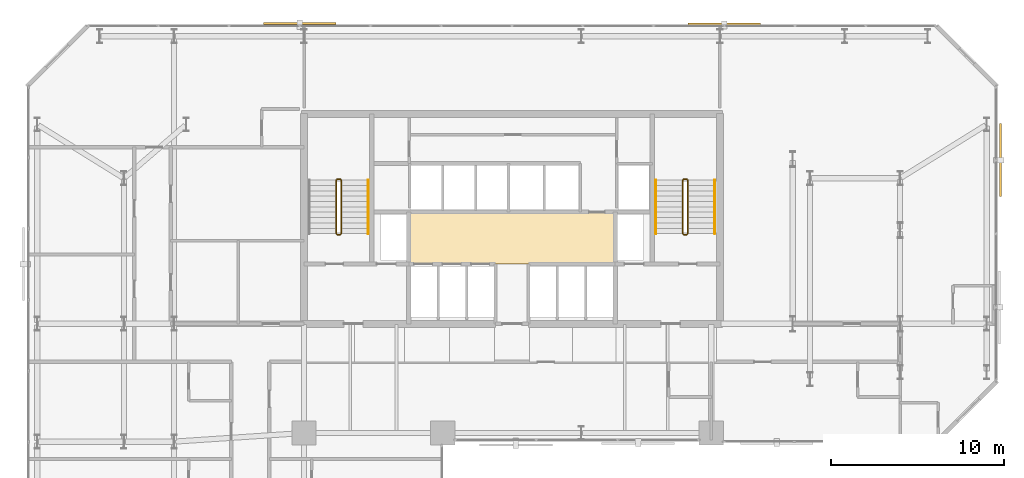
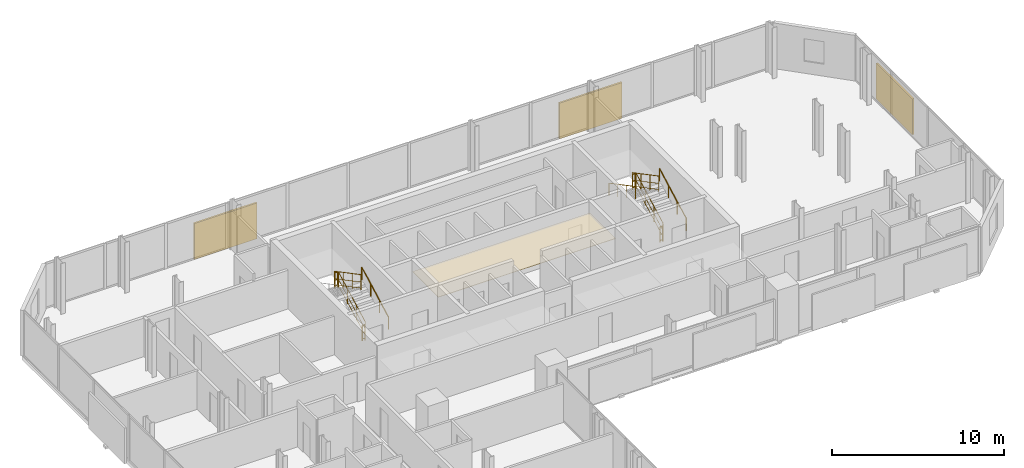
# One storey, part 33 of 33: 11 railings, 3 shading devices, 1 covering.
"""IFC4 building model written with IfcOpenShell, lengths in metres."""

from ifc_helpers import new_model, si_unit, direction, frame, origin, origin_2d, place, context, subcontext, project, spatial, polyline, rectangle, circle, outline, extrude, material, layer, layer_set, type_object, element, save


model = new_model("IFC4")

# Units and contexts
model_context = context("Model", 3, precision=1e-05, world=origin(), true_north=direction((0.0, 1.0)))
body_context = subcontext(model_context, "Body", "Model", "MODEL_VIEW")
ifc_project = project(units=[si_unit("LENGTHUNIT", "METRE"), si_unit("AREAUNIT", "SQUARE_METRE"), si_unit("VOLUMEUNIT", "CUBIC_METRE"), si_unit("PLANEANGLEUNIT", "RADIAN"), si_unit("MASSUNIT", "GRAM", prefix="KILO")], contexts=[model_context])

# Site, building, storey
site_placement = place(None, origin())
site = spatial("IfcSite", under=ifc_project, at=site_placement, CompositionType="ELEMENT")
building_placement = place(site_placement, origin())
building = spatial("IfcBuilding", under=site, at=building_placement, Name="Catumbela Crestline Tower", CompositionType="ELEMENT")
storey_placement = place(building_placement, frame((0.0, 0.0, 76.2)))
storey = spatial("IfcBuildingStorey", under=building, at=storey_placement, Name="L19", CompositionType="ELEMENT", Elevation=76.2)

# Covering
ifc_material_1 = material(Name="Mineral-fibre acoustic ceiling")
ifc_layer = layer(ifc_material_1, 0.03, Name="Mineral-fibre acoustic ceiling")
ifc_layer_set = layer_set([ifc_layer], Name="Mineral-fibre acoustic ceiling")
covering_type = type_object("IfcCoveringType", Name="CC-AC", PredefinedType="CEILING", material=ifc_layer_set)
covering_placement = place(storey_placement, frame((0.0, 0.0, 2.65)))
element("IfcCovering", 1, at=covering_placement, inside=storey, type_object=covering_type, Name="L19 Lift Lobby Acoustic Ceiling", PredefinedType="CEILING", context=body_context, shape_type="SweptSolid", body=[
    extrude(outline(polyline([(22.05, 34.25), (33.95, 34.25), (33.95, 37.25), (22.05, 37.25), (22.05, 34.25)])), origin(), (0.0, 0.0, 1.0), 0.03),
])

# Railings
ifc_material_2 = material(Name="Stainless steel EN 1.4401", Category="steel")
railing_type_1 = type_object("IfcRailingType", Name="RG-1100", PredefinedType="GUARDRAIL", material=ifc_material_2)
railing_1_placement = place(storey_placement, frame((18.14, 36.0, 0.1636)))
element("IfcRailing", 2, at=railing_1_placement, inside=storey, type_object=railing_type_1, Name="L19 ST-01 stair guard 1", PredefinedType="GUARDRAIL", context=body_context, shape_type="SweptSolid", body=[
    extrude(circle(Radius=0.024, at=origin_2d()), frame((0.0, 0.0, 1.076), z_axis=(0.0, 0.884350731049, 0.466823076222), x_axis=(-1.0, 0.0, 0.0)), (0.0, 0.0, 1.0), 3.5054),
    extrude(circle(Radius=0.0156, at=origin_2d()), frame((0.0, 0.0, 0.55), z_axis=(0.0, 0.884350731049, 0.466823076222), x_axis=(-1.0, 0.0, 0.0)), (0.0, 0.0, 1.0), 3.5054),
    extrude(circle(Radius=0.0156, at=origin_2d()), frame((0.0, 0.0, 0.12), z_axis=(0.0, 0.884350731049, 0.466823076222), x_axis=(-1.0, 0.0, 0.0)), (0.0, 0.0, 1.0), 3.5054),
    extrude(circle(Radius=0.021, at=origin_2d()), origin(), (0.0, 0.0, 1.0), 1.052),
    extrude(circle(Radius=0.021, at=origin_2d()), frame((0.0, 1.0333, 0.5455)), (0.0, 0.0, 1.0), 1.052),
    extrude(circle(Radius=0.021, at=origin_2d()), frame((0.0, 2.0667, 1.0909)), (0.0, 0.0, 1.0), 1.052),
    extrude(circle(Radius=0.021, at=origin_2d()), frame((0.0, 3.1, 1.6364)), (0.0, 0.0, 1.0), 1.052),
])
railing_2_placement = place(storey_placement, frame((18.09, 39.15, 1.8)))
element("IfcRailing", 3, at=railing_2_placement, inside=storey, type_object=railing_type_1, Name="L19 ST-01 stair guard 2", PredefinedType="GUARDRAIL", context=body_context, shape_type="SweptSolid", body=[
    extrude(circle(Radius=0.024, at=origin_2d()), frame((0.0, 0.0, 1.076), z_axis=(-1.0, 0.0, 0.0), x_axis=(0.0, -1.0, 0.0)), (0.0, 0.0, 1.0), 0.18),
    extrude(circle(Radius=0.0156, at=origin_2d()), frame((0.0, 0.0, 0.55), z_axis=(-1.0, 0.0, 0.0), x_axis=(0.0, -1.0, 0.0)), (0.0, 0.0, 1.0), 0.18),
    extrude(circle(Radius=0.0156, at=origin_2d()), frame((0.0, 0.0, 0.12), z_axis=(-1.0, 0.0, 0.0), x_axis=(0.0, -1.0, 0.0)), (0.0, 0.0, 1.0), 0.18),
    extrude(circle(Radius=0.021, at=origin_2d()), origin(), (0.0, 0.0, 1.0), 1.052),
    extrude(circle(Radius=0.021, at=origin_2d()), frame((-0.18, 0.0, 0.0)), (0.0, 0.0, 1.0), 1.052),
])
railing_3_placement = place(storey_placement, frame((17.86, 39.1, 1.9636)))
element("IfcRailing", 4, at=railing_3_placement, inside=storey, type_object=railing_type_1, Name="L19 ST-01 stair guard 3", PredefinedType="GUARDRAIL", context=body_context, shape_type="SweptSolid", body=[
    extrude(circle(Radius=0.024, at=origin_2d()), frame((0.0, 0.0, 1.076), z_axis=(0.0, -0.884350731049, 0.466823076222), x_axis=(1.0, 0.0, 0.0)), (0.0, 0.0, 1.0), 3.5054),
    extrude(circle(Radius=0.0156, at=origin_2d()), frame((0.0, 0.0, 0.55), z_axis=(0.0, -0.884350731049, 0.466823076222), x_axis=(1.0, 0.0, 0.0)), (0.0, 0.0, 1.0), 3.5054),
    extrude(circle(Radius=0.0156, at=origin_2d()), frame((0.0, 0.0, 0.12), z_axis=(0.0, -0.884350731049, 0.466823076222), x_axis=(1.0, 0.0, 0.0)), (0.0, 0.0, 1.0), 3.5054),
    extrude(circle(Radius=0.021, at=origin_2d()), origin(), (0.0, 0.0, 1.0), 1.052),
    extrude(circle(Radius=0.021, at=origin_2d()), frame((0.0, -1.0333, 0.5455)), (0.0, 0.0, 1.0), 1.052),
    extrude(circle(Radius=0.021, at=origin_2d()), frame((0.0, -2.0667, 1.0909)), (0.0, 0.0, 1.0), 1.052),
    extrude(circle(Radius=0.021, at=origin_2d()), frame((0.0, -3.1, 1.6364)), (0.0, 0.0, 1.0), 1.052),
])
railing_4_placement = place(storey_placement, frame((18.09, 35.95, 0.0)))
element("IfcRailing", 5, at=railing_4_placement, inside=storey, type_object=railing_type_1, Name="L19 ST-01 stair guard 4", PredefinedType="GUARDRAIL", context=body_context, shape_type="SweptSolid", body=[
    extrude(circle(Radius=0.024, at=origin_2d()), frame((0.0, 0.0, 1.076), z_axis=(-1.0, 0.0, 0.0), x_axis=(0.0, -1.0, 0.0)), (0.0, 0.0, 1.0), 0.18),
    extrude(circle(Radius=0.0156, at=origin_2d()), frame((0.0, 0.0, 0.55), z_axis=(-1.0, 0.0, 0.0), x_axis=(0.0, -1.0, 0.0)), (0.0, 0.0, 1.0), 0.18),
    extrude(circle(Radius=0.0156, at=origin_2d()), frame((0.0, 0.0, 0.12), z_axis=(-1.0, 0.0, 0.0), x_axis=(0.0, -1.0, 0.0)), (0.0, 0.0, 1.0), 0.18),
    extrude(circle(Radius=0.021, at=origin_2d()), origin(), (0.0, 0.0, 1.0), 1.052),
    extrude(circle(Radius=0.021, at=origin_2d()), frame((-0.18, 0.0, 0.0)), (0.0, 0.0, 1.0), 1.052),
])
railing_5_placement = place(storey_placement, frame((38.14, 36.0, 0.1636)))
element("IfcRailing", 6, at=railing_5_placement, inside=storey, type_object=railing_type_1, Name="L19 ST-02 stair guard 1", PredefinedType="GUARDRAIL", context=body_context, shape_type="SweptSolid", body=[
    extrude(circle(Radius=0.024, at=origin_2d()), frame((0.0, 0.0, 1.076), z_axis=(0.0, 0.884350731049, 0.466823076222), x_axis=(-1.0, 0.0, 0.0)), (0.0, 0.0, 1.0), 3.5054),
    extrude(circle(Radius=0.0156, at=origin_2d()), frame((0.0, 0.0, 0.55), z_axis=(0.0, 0.884350731049, 0.466823076222), x_axis=(-1.0, 0.0, 0.0)), (0.0, 0.0, 1.0), 3.5054),
    extrude(circle(Radius=0.0156, at=origin_2d()), frame((0.0, 0.0, 0.12), z_axis=(0.0, 0.884350731049, 0.466823076222), x_axis=(-1.0, 0.0, 0.0)), (0.0, 0.0, 1.0), 3.5054),
    extrude(circle(Radius=0.021, at=origin_2d()), origin(), (0.0, 0.0, 1.0), 1.052),
    extrude(circle(Radius=0.021, at=origin_2d()), frame((0.0, 1.0333, 0.5455)), (0.0, 0.0, 1.0), 1.052),
    extrude(circle(Radius=0.021, at=origin_2d()), frame((0.0, 2.0667, 1.0909)), (0.0, 0.0, 1.0), 1.052),
    extrude(circle(Radius=0.021, at=origin_2d()), frame((0.0, 3.1, 1.6364)), (0.0, 0.0, 1.0), 1.052),
])
railing_6_placement = place(storey_placement, frame((38.09, 39.15, 1.8)))
element("IfcRailing", 7, at=railing_6_placement, inside=storey, type_object=railing_type_1, Name="L19 ST-02 stair guard 2", PredefinedType="GUARDRAIL", context=body_context, shape_type="SweptSolid", body=[
    extrude(circle(Radius=0.024, at=origin_2d()), frame((0.0, 0.0, 1.076), z_axis=(-1.0, 0.0, 0.0), x_axis=(0.0, -1.0, 0.0)), (0.0, 0.0, 1.0), 0.18),
    extrude(circle(Radius=0.0156, at=origin_2d()), frame((0.0, 0.0, 0.55), z_axis=(-1.0, 0.0, 0.0), x_axis=(0.0, -1.0, 0.0)), (0.0, 0.0, 1.0), 0.18),
    extrude(circle(Radius=0.0156, at=origin_2d()), frame((0.0, 0.0, 0.12), z_axis=(-1.0, 0.0, 0.0), x_axis=(0.0, -1.0, 0.0)), (0.0, 0.0, 1.0), 0.18),
    extrude(circle(Radius=0.021, at=origin_2d()), origin(), (0.0, 0.0, 1.0), 1.052),
    extrude(circle(Radius=0.021, at=origin_2d()), frame((-0.18, 0.0, 0.0)), (0.0, 0.0, 1.0), 1.052),
])
railing_7_placement = place(storey_placement, frame((37.86, 39.1, 1.9636)))
element("IfcRailing", 8, at=railing_7_placement, inside=storey, type_object=railing_type_1, Name="L19 ST-02 stair guard 3", PredefinedType="GUARDRAIL", context=body_context, shape_type="SweptSolid", body=[
    extrude(circle(Radius=0.024, at=origin_2d()), frame((0.0, 0.0, 1.076), z_axis=(0.0, -0.884350731049, 0.466823076222), x_axis=(1.0, 0.0, 0.0)), (0.0, 0.0, 1.0), 3.5054),
    extrude(circle(Radius=0.0156, at=origin_2d()), frame((0.0, 0.0, 0.55), z_axis=(0.0, -0.884350731049, 0.466823076222), x_axis=(1.0, 0.0, 0.0)), (0.0, 0.0, 1.0), 3.5054),
    extrude(circle(Radius=0.0156, at=origin_2d()), frame((0.0, 0.0, 0.12), z_axis=(0.0, -0.884350731049, 0.466823076222), x_axis=(1.0, 0.0, 0.0)), (0.0, 0.0, 1.0), 3.5054),
    extrude(circle(Radius=0.021, at=origin_2d()), origin(), (0.0, 0.0, 1.0), 1.052),
    extrude(circle(Radius=0.021, at=origin_2d()), frame((0.0, -1.0333, 0.5455)), (0.0, 0.0, 1.0), 1.052),
    extrude(circle(Radius=0.021, at=origin_2d()), frame((0.0, -2.0667, 1.0909)), (0.0, 0.0, 1.0), 1.052),
    extrude(circle(Radius=0.021, at=origin_2d()), frame((0.0, -3.1, 1.6364)), (0.0, 0.0, 1.0), 1.052),
])
railing_8_placement = place(storey_placement, frame((38.09, 35.95, 0.0)))
element("IfcRailing", 9, at=railing_8_placement, inside=storey, type_object=railing_type_1, Name="L19 ST-02 stair guard 4", PredefinedType="GUARDRAIL", context=body_context, shape_type="SweptSolid", body=[
    extrude(circle(Radius=0.024, at=origin_2d()), frame((0.0, 0.0, 1.076), z_axis=(-1.0, 0.0, 0.0), x_axis=(0.0, -1.0, 0.0)), (0.0, 0.0, 1.0), 0.18),
    extrude(circle(Radius=0.0156, at=origin_2d()), frame((0.0, 0.0, 0.55), z_axis=(-1.0, 0.0, 0.0), x_axis=(0.0, -1.0, 0.0)), (0.0, 0.0, 1.0), 0.18),
    extrude(circle(Radius=0.0156, at=origin_2d()), frame((0.0, 0.0, 0.12), z_axis=(-1.0, 0.0, 0.0), x_axis=(0.0, -1.0, 0.0)), (0.0, 0.0, 1.0), 0.18),
    extrude(circle(Radius=0.021, at=origin_2d()), origin(), (0.0, 0.0, 1.0), 1.052),
    extrude(circle(Radius=0.021, at=origin_2d()), frame((-0.18, 0.0, 0.0)), (0.0, 0.0, 1.0), 1.052),
])
railing_type_2 = type_object("IfcRailingType", Name="RH-0900", PredefinedType="HANDRAIL", material=ifc_material_2)
for number, where, name in (
    (10, (19.7, 36.0, 0.1636), "L19 ST-01 stair handrail 1"),
    (11, (39.7, 36.0, 0.1636), "L19 ST-02 stair handrail 1"),
):
    element("IfcRailing", number, at=place(storey_placement, frame(where)), inside=storey, type_object=railing_type_2, Name=name, PredefinedType="HANDRAIL", context=body_context, shape_type="SweptSolid", body=[
        extrude(circle(Radius=0.024, at=origin_2d()), frame((0.0, 0.0, 0.876), z_axis=(0.0, 0.884350731049, 0.466823076222), x_axis=(-1.0, 0.0, 0.0)), (0.0, 0.0, 1.0), 3.5054),
        extrude(circle(Radius=0.021, at=origin_2d()), origin(), (0.0, 0.0, 1.0), 0.852),
        extrude(circle(Radius=0.021, at=origin_2d()), frame((0.0, 1.0333, 0.5455)), (0.0, 0.0, 1.0), 0.852),
        extrude(circle(Radius=0.021, at=origin_2d()), frame((0.0, 2.0667, 1.0909)), (0.0, 0.0, 1.0), 0.852),
        extrude(circle(Radius=0.021, at=origin_2d()), frame((0.0, 3.1, 1.6364)), (0.0, 0.0, 1.0), 0.852),
    ])
railing_9_placement = place(storey_placement, frame((36.3, 39.1, 1.9636)))
element("IfcRailing", 12, at=railing_9_placement, inside=storey, type_object=railing_type_2, Name="L19 ST-02 stair handrail 2", PredefinedType="HANDRAIL", context=body_context, shape_type="SweptSolid", body=[
    extrude(circle(Radius=0.024, at=origin_2d()), frame((0.0, 0.0, 0.876), z_axis=(0.0, -0.884350731049, 0.466823076222), x_axis=(1.0, 0.0, 0.0)), (0.0, 0.0, 1.0), 3.5054),
    extrude(circle(Radius=0.021, at=origin_2d()), origin(), (0.0, 0.0, 1.0), 0.852),
    extrude(circle(Radius=0.021, at=origin_2d()), frame((0.0, -1.0333, 0.5455)), (0.0, 0.0, 1.0), 0.852),
    extrude(circle(Radius=0.021, at=origin_2d()), frame((0.0, -2.0667, 1.0909)), (0.0, 0.0, 1.0), 0.852),
    extrude(circle(Radius=0.021, at=origin_2d()), frame((0.0, -3.1, 1.6364)), (0.0, 0.0, 1.0), 0.852),
])

# Shading devices
ifc_material_3 = material(Name="Extruded terracotta ceramic", Category="masonry")
shading_device_type_1 = type_object("IfcShadingDeviceType", Name="ST-180", PredefinedType="USERDEFINED", material=ifc_material_3)
shading_device_1_placement = place(storey_placement, frame((40.25, 48.099, -0.1), z_axis=(0.0, 0.0, 1.0), x_axis=(-1.0, 0.0, 0.0)))
element("IfcShadingDevice", 13, at=shading_device_1_placement, inside=storey, type_object=shading_device_type_1, Name="L19 Perforated Terracotta Solar Screen 207 (180 mm)", ObjectType="SCREEN", PredefinedType="USERDEFINED", context=body_context, shape_type="SweptSolid", body=[
    extrude(rectangle(XDim=4.2, YDim=0.12, at=origin_2d()), origin(), (0.0, 0.0, 1.0), 2.55),
])
shading_device_type_2 = type_object("IfcShadingDeviceType", Name="ST-260", PredefinedType="USERDEFINED", material=ifc_material_3)
shading_device_2_placement = place(storey_placement, frame((15.75, 48.143, -0.1), z_axis=(0.0, 0.0, 1.0), x_axis=(-1.0, 0.0, 0.0)))
element("IfcShadingDevice", 14, at=shading_device_2_placement, inside=storey, type_object=shading_device_type_2, Name="L19 Perforated Terracotta Solar Screen 208 (260 mm)", ObjectType="SCREEN", PredefinedType="USERDEFINED", context=body_context, shape_type="SweptSolid", body=[
    extrude(rectangle(XDim=4.2, YDim=0.12, at=origin_2d()), origin(), (0.0, 0.0, 1.0), 2.55),
])
shading_device_type_3 = type_object("IfcShadingDeviceType", Name="ST-340", PredefinedType="USERDEFINED", material=ifc_material_3)
shading_device_3_placement = place(storey_placement, frame((56.187, 40.25, -0.1), z_axis=(0.0, 0.0, 1.0), x_axis=(0.0, 1.0, 0.0)))
element("IfcShadingDevice", 15, at=shading_device_3_placement, inside=storey, type_object=shading_device_type_3, Name="L19 Perforated Terracotta Solar Screen 206 (340 mm)", ObjectType="SCREEN", PredefinedType="USERDEFINED", context=body_context, shape_type="SweptSolid", body=[
    extrude(rectangle(XDim=4.2, YDim=0.12, at=origin_2d()), origin(), (0.0, 0.0, 1.0), 2.55),
])

save(model, "model.ifc")
